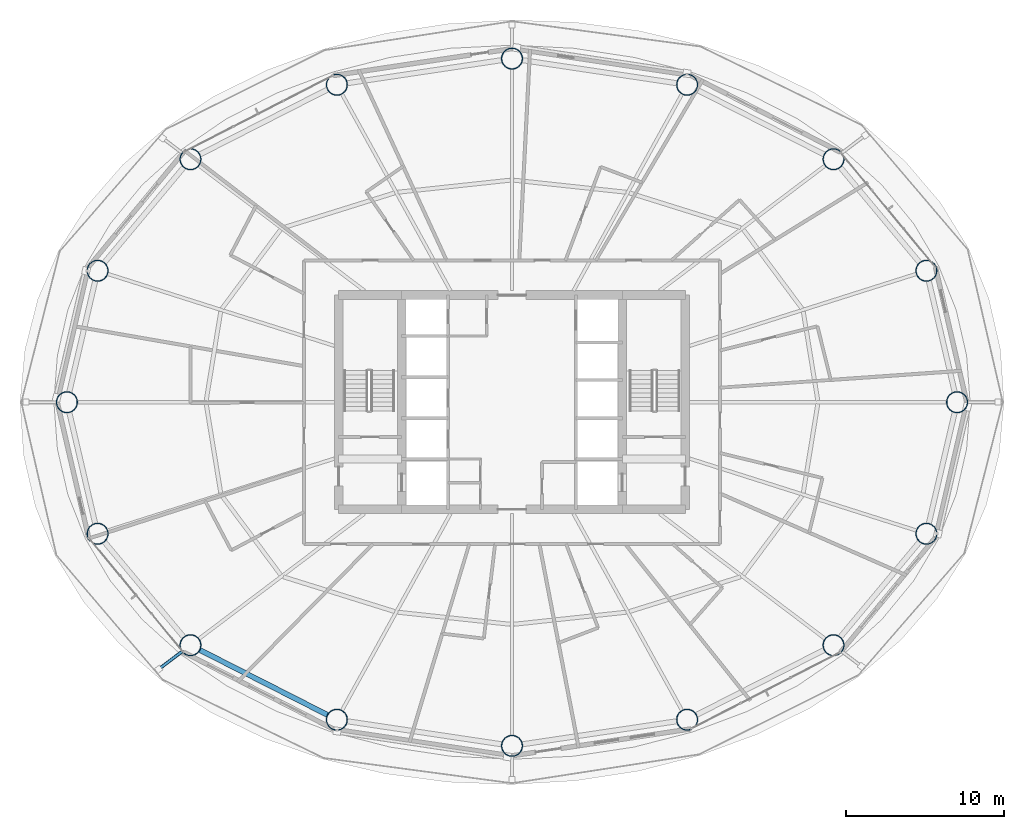
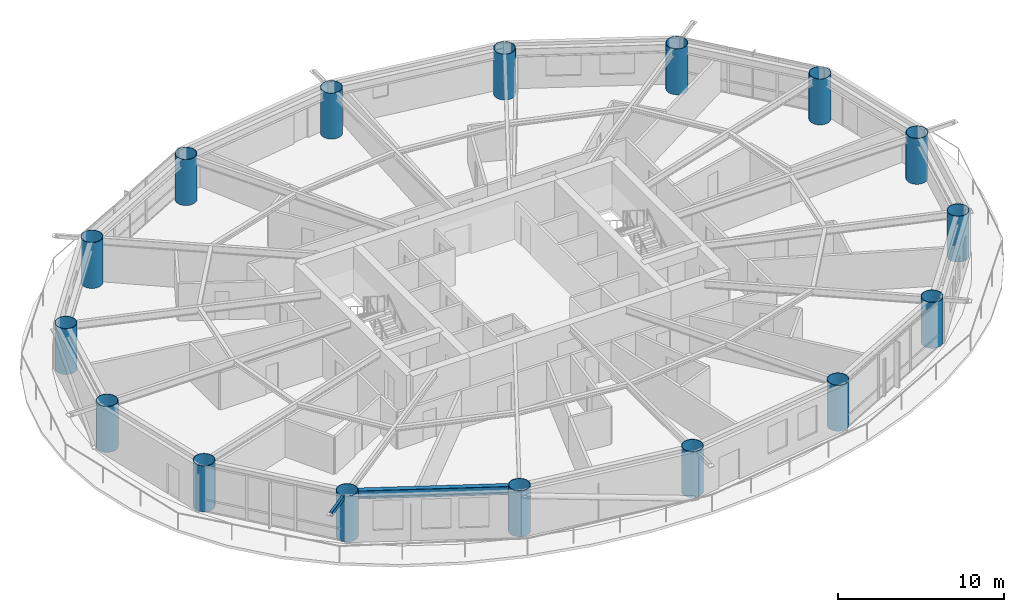
# One storey, part 1 of 24: 16 columns, 1 beam, 1 member.
"""IFC4 building model written with IfcOpenShell, lengths in metres."""

import ifcopenshell
import ifcopenshell.guid

model = None  # the IFC model being written
_history = None  # IfcOwnerHistory: only IFC2X3 demands one
_inside = {}  # id of a spatial element -> (the spatial element, [elements in it])
_under = {}  # id of a project, library or spatial element -> (it, [spatial elements below it])
_declared = {}  # id of a project -> (the project, [libraries it declares])
_typed = {}  # id of a type object -> (the type object, [elements of that type])
_made_of = {}  # id of a material, layer set ... -> (it, [elements and type objects made of it])


def new_model(schema):
    """Start an empty IFC model of exactly this schema.

    Asked for "IFC4X3", IfcOpenShell would pick the latest addendum, in which some entities
    have other attributes; the version numbers below select the first issue.
    IFC2X3 requires an IfcOwnerHistory on every rooted entity: one is made here for all.
    """
    global model, _history
    if schema == "IFC4X3":
        model = ifcopenshell.file(schema_version=(4, 3, 0, 0))
    else:
        model = ifcopenshell.file(schema=schema)
    _inside.clear()
    _under.clear()
    _declared.clear()
    _typed.clear()
    _made_of.clear()
    _history = None
    if model.schema == "IFC2X3":
        org = make("IfcOrganization", Name="unknown")
        user = make(
            "IfcPersonAndOrganization",
            ThePerson=make("IfcPerson", FamilyName="unknown"),
            TheOrganization=org,
        )
        app = make(
            "IfcApplication",
            ApplicationDeveloper=org,
            Version="unknown",
            ApplicationFullName="unknown",
            ApplicationIdentifier="unknown",
        )
        _history = make(
            "IfcOwnerHistory",
            OwningUser=user,
            OwningApplication=app,
            ChangeAction="ADDED",
            CreationDate=0,
        )
    return model


def make(cls, **values):
    """One entity of the class cls with the attributes given. An attribute that is None is left unset."""
    return model.create_entity(
        cls, **{name: value for name, value in values.items() if value is not None}
    )


def rooted(cls, **values):
    """An entity with a GlobalId (a new one), such as an element, a storey or a relation."""
    return make(cls, GlobalId=ifcopenshell.guid.new(), OwnerHistory=_history, **values)


def si_unit(unit_type, name, prefix=None):
    """IfcSIUnit, for example si_unit("LENGTHUNIT", "METRE", prefix="MILLI")."""
    return make("IfcSIUnit", UnitType=unit_type, Prefix=prefix, Name=name)


def assignment(units):
    """IfcUnitAssignment: the units of a project."""
    return None if units is None else make("IfcUnitAssignment", Units=units)


def point(xyz):
    """IfcCartesianPoint."""
    return None if xyz is None else make("IfcCartesianPoint", Coordinates=xyz)


def direction(xyz):
    """IfcDirection."""
    return None if xyz is None else make("IfcDirection", DirectionRatios=xyz)


def frame(location, z_axis=None, x_axis=None):
    """IfcAxis2Placement3D, a coordinate frame: its origin and axes. An axis left out is left unset."""
    return make(
        "IfcAxis2Placement3D",
        Location=point(location),
        Axis=direction(z_axis),
        RefDirection=direction(x_axis),
    )


def frame_2d(location, x_axis=None):
    """IfcAxis2Placement2D, a coordinate frame in the plane: its origin and x axis."""
    return make(
        "IfcAxis2Placement2D", Location=point(location), RefDirection=direction(x_axis)
    )


def origin():
    """The frame at (0, 0, 0) with its axes left unset."""
    return frame((0.0, 0.0, 0.0))


def origin_2d():
    """The frame at (0, 0) in the plane with its x axis left unset."""
    return frame_2d((0.0, 0.0))


def place(relative_to, where):
    """IfcLocalPlacement: puts the frame where relative to a parent placement (None: the world)."""
    return make(
        "IfcLocalPlacement", PlacementRelTo=relative_to, RelativePlacement=where
    )


def context(
    kind, dimensions, precision=None, world=None, true_north=None, identifier=None
):
    """IfcGeometricRepresentationContext, for example the 3D "Model" context."""
    return make(
        "IfcGeometricRepresentationContext",
        ContextIdentifier=identifier,
        ContextType=kind,
        CoordinateSpaceDimension=dimensions,
        Precision=precision,
        WorldCoordinateSystem=world,
        TrueNorth=true_north,
    )


def subcontext(parent, identifier, kind, view, scale=None):
    """IfcGeometricRepresentationSubContext, for example "Body" below "Model"."""
    return make(
        "IfcGeometricRepresentationSubContext",
        ContextIdentifier=identifier,
        ContextType=kind,
        ParentContext=parent,
        TargetScale=scale,
        TargetView=view,
    )


def project(units=None, contexts=None):
    """IfcProject with its units and contexts."""
    return rooted(
        "IfcProject",
        Name="project",
        RepresentationContexts=contexts,
        UnitsInContext=assignment(units),
    )


def spatial(cls, under=None, at=None, **own):
    """A site, building, storey or space (cls), placed at a placement, below another one or the project."""
    s = rooted(cls, ObjectPlacement=at, **own)
    if under is not None:
        _under.setdefault(under.id(), (under, []))[1].append(s)
    return s


def profile(cls, at=None, kind="AREA", **sizes):
    """A parametric profile (cls). Its sizes go by their IFC names, for example OverallWidth=200.0."""
    return make(cls, ProfileType=kind, Position=at, **sizes)


def hollow_rectangle(**sizes):
    """IfcRectangleHollowProfileDef."""
    return profile("IfcRectangleHollowProfileDef", **sizes)


def hollow_circle(**sizes):
    """IfcCircleHollowProfileDef."""
    return profile("IfcCircleHollowProfileDef", **sizes)


def i_section(**sizes):
    """IfcIShapeProfileDef."""
    return profile("IfcIShapeProfileDef", **sizes)


def extrude(swept, where, along, depth):
    """IfcExtrudedAreaSolid: the profile swept, set in the frame where, extruded along a direction by depth."""
    return make(
        "IfcExtrudedAreaSolid",
        SweptArea=swept,
        Position=where,
        ExtrudedDirection=direction(along),
        Depth=depth,
    )


def shape(context_of_items, identifier, shape_type, items):
    """IfcShapeRepresentation: the items that make up one representation, for example the "Body"."""
    return make(
        "IfcShapeRepresentation",
        ContextOfItems=context_of_items,
        RepresentationIdentifier=identifier,
        RepresentationType=shape_type,
        Items=items,
    )


def material(Name=None, Category=None):
    """IfcMaterial."""
    return make("IfcMaterial", Name=Name, Category=Category)


def material_profile(
    of_material, cross_section, Name=None, Category=None, Priority=None
):
    """IfcMaterialProfile: a cross section and its material."""
    return make(
        "IfcMaterialProfile",
        Name=Name,
        Material=of_material,
        Profile=cross_section,
        Priority=Priority,
        Category=Category,
    )


def profile_set(profiles, Name=None, composite=None):
    """IfcMaterialProfileSet."""
    return make(
        "IfcMaterialProfileSet",
        Name=Name,
        MaterialProfiles=profiles,
        CompositeProfile=composite,
    )


def made_of(thing, what):
    """Note that an element or type object is made of a material, layer set ...; save() writes the relation."""
    if what is not None:
        _made_of.setdefault(what.id(), (what, []))[1].append(thing)
    return thing


def type_object(cls, material=None, **own):
    """A type object (cls), such as IfcWallType, which elements share."""
    return made_of(rooted(cls, **own), material)


def element(
    cls,
    number,
    at=None,
    inside=None,
    cuts=None,
    type_object=None,
    material=None,
    context=None,
    identifier="Body",
    shape_type=None,
    held_by="IfcProductDefinitionShape",
    body=None,
    shapes=None,
    **own,
):
    """One element of the class cls, such as IfcWall. Its Tag is "e" and its number.

    at: its placement. inside: the storey or other place that contains it. cuts: it is an
    opening in that element (IfcRelVoidsElement). A single representation is given by context,
    identifier, shape_type and body (its items); several are given by shapes. held_by: the class
    of the entity that holds the representations. save() writes the other relations.
    """
    e = rooted(cls, Tag="e%d" % number, ObjectPlacement=at, **own)
    if body is not None:
        shapes = [shape(context, identifier, shape_type, body)]
    if shapes is not None:
        e.Representation = make(held_by, Representations=shapes)
    if inside is not None:
        _inside.setdefault(inside.id(), (inside, []))[1].append(e)
    if cuts is not None:
        rooted(
            "IfcRelVoidsElement", RelatingBuildingElement=cuts, RelatedOpeningElement=e
        )
    if type_object is not None:
        _typed.setdefault(type_object.id(), (type_object, []))[1].append(e)
    return made_of(e, material)


def aggregate(whole, parts):
    """IfcRelAggregates: a whole, such as a stair, and the parts it consists of."""
    return rooted("IfcRelAggregates", RelatingObject=whole, RelatedObjects=parts)


def save(model, path):
    """Write the relations noted so far, then the file.

    IfcRelAggregates (storeys below a building ...), IfcRelContainedInSpatialStructure (elements
    in a storey), IfcRelDefinesByType, IfcRelAssociatesMaterial and IfcRelDeclares: one each for
    every whole, place, type object, material and project.
    """
    for whole, parts in _under.values():
        aggregate(whole, parts)
    for where, things in _inside.values():
        rooted(
            "IfcRelContainedInSpatialStructure",
            RelatedElements=things,
            RelatingStructure=where,
        )
    for kind, things in _typed.values():
        rooted("IfcRelDefinesByType", RelatedObjects=things, RelatingType=kind)
    for what, things in _made_of.values():
        rooted("IfcRelAssociatesMaterial", RelatedObjects=things, RelatingMaterial=what)
    for by, libraries in _declared.values():
        rooted("IfcRelDeclares", RelatingContext=by, RelatedDefinitions=libraries)
    model.write(path)


model = new_model("IFC4")

# Units and contexts
model_context = context("Model", 3, precision=1e-05, world=origin(), true_north=direction((0.0, 1.0)))
body_context = subcontext(model_context, "Body", "Model", "MODEL_VIEW")
ifc_project = project(units=[si_unit("LENGTHUNIT", "METRE"), si_unit("AREAUNIT", "SQUARE_METRE"), si_unit("VOLUMEUNIT", "CUBIC_METRE"), si_unit("PLANEANGLEUNIT", "RADIAN"), si_unit("MASSUNIT", "GRAM", prefix="KILO")], contexts=[model_context])

# Site, building, storey
site_placement = place(None, origin())
site = spatial("IfcSite", under=ifc_project, at=site_placement, CompositionType="ELEMENT")
building_placement = place(site_placement, origin())
building = spatial("IfcBuilding", under=site, at=building_placement, Name="Sarneth Arch Tower", CompositionType="ELEMENT")
storey_placement = place(building_placement, frame((0.0, 0.0, 87.60009765625)))
storey = spatial("IfcBuildingStorey", under=building, at=storey_placement, Name="L21", CompositionType="ELEMENT", Elevation=87.60009765625)

# Columns
ifc_material_1 = material(Name="Steel S355", Category="steel")
ifc_material_profile_1 = material_profile(ifc_material_1, hollow_circle(Radius=0.675048828125, WallThickness=0.035888671875, at=origin_2d()), Name="CHS1350x36")
ifc_profile_set_1 = profile_set([ifc_material_profile_1], Name="Steel S355")
column_type = type_object("IfcColumnType", Name="COL-MEGA-1350", PredefinedType="COLUMN", material=ifc_profile_set_1)
for number, where, z_axis, x_axis, name in (
    (1, (76.236572265625, 42.0, 0.0), (0.0, 0.0, 1.0), (1.0, 0.0, 0.0), "L21 Perimeter mega-column M01"),
    (2, (74.291259765625, 50.342529296875, 0.0), (0.0, 0.0, 1.0), (1.0, 0.0, 0.0), "L21 Perimeter mega-column M02"),
    (3, (68.397705078125, 57.4150390625, 0.0), (0.0, 0.0, 1.0), (1.0, 0.0, 0.0), "L21 Perimeter mega-column M03"),
    (4, (59.1103515625, 62.140625, 0.0), (0.0, 0.0, 1.0), (1.0, 0.0, 0.0), "L21 Perimeter mega-column M04"),
    (5, (48.0, 63.800048828125, 0.0), (0.0, 0.0, 1.0), (1.0, 0.0, 0.0), "L21 Perimeter mega-column M05"),
    (6, (36.8896484375, 62.140625, 0.0), (0.0, 0.0, 1.0), (1.0, 0.0, 0.0), "L21 Perimeter mega-column M06"),
    (7, (27.602294921875, 57.4150390625, 0.0), (0.0, 0.0, 1.0), (1.0, 0.0, 0.0), "L21 Perimeter mega-column M07"),
    (8, (21.708740234375, 50.342529296875, 0.0), (0.0, 0.0, 1.0), (1.0, 0.0, 0.0), "L21 Perimeter mega-column M08"),
    (9, (19.763427734375, 42.0, 0.0), (0.0, 0.0, 1.0), (1.0, 0.0, 0.0), "L21 Perimeter mega-column M09"),
    (10, (21.708740234375, 33.657470703125, 0.0), (0.0, 0.0, 1.0), (1.0, 0.0, 0.0), "L21 Perimeter mega-column M10"),
    (11, (27.602294921875, 26.5849609375, 0.0), (0.0, 0.0, 1.0), (1.0, 0.0, 0.0), "L21 Perimeter mega-column M11"),
    (12, (36.8896484375, 21.859375, 0.0), (0.0, 0.0, 1.0), (1.0, 0.0, 0.0), "L21 Perimeter mega-column M12"),
    (13, (48.0, 20.199951171875, 0.0), (0.0, 0.0, 1.0), (1.0, 0.0, 0.0), "L21 Perimeter mega-column M13"),
    (14, (59.1103515625, 21.859375, 0.0), (0.0, 0.0, 1.0), (1.0, 0.0, 0.0), "L21 Perimeter mega-column M14"),
    (15, (68.397705078125, 26.5849609375, 0.0), (0.0, 0.0, 1.0), (1.0, 0.0, 0.0), "L21 Perimeter mega-column M15"),
    (16, (74.291259765625, 33.657470703125, 0.0), (0.0, 0.0, 1.0), (1.0, 0.0, 0.0), "L21 Perimeter mega-column M16"),
):
    element("IfcColumn", number, at=place(storey_placement, frame(where, z_axis=z_axis, x_axis=x_axis)), inside=storey, type_object=column_type, Name=name, PredefinedType="COLUMN", context=body_context, shape_type="SweptSolid", body=[
        extrude(hollow_circle(Radius=0.675048828125, WallThickness=0.035888671875, at=origin_2d()), origin(), (0.0, 0.0, 1.0), 3.3798828125),
    ])

# Beam
ifc_material_2 = material(Name="Steel S355", Category="steel")
ifc_material_profile_2 = material_profile(ifc_material_2, i_section(OverallWidth=0.323974609375, OverallDepth=0.611083984375, WebThickness=0.0126953125, FlangeThickness=0.01904296875, FilletRadius=0.01904296875, at=origin_2d()), Name="W610x155")
ifc_profile_set_2 = profile_set([ifc_material_profile_2], Name="Steel S355")
beam_type = type_object("IfcBeamType", Name="BM-SPAN-610B", PredefinedType="SPANDREL", material=ifc_profile_set_2)
beam_placement = place(storey_placement, frame((28.203857421875, 26.279052734375, 3.074462890625), z_axis=(0.891255891792, -0.453500755619, 0.0), x_axis=(0.453500755619, 0.891255891792, 0.0)))
element("IfcBeam", 17, at=beam_placement, inside=storey, type_object=beam_type, Name="L21 Perimeter spandrel beam 11", PredefinedType="SPANDREL", context=body_context, shape_type="SweptSolid", body=[
    extrude(i_section(OverallWidth=0.323974609375, OverallDepth=0.611083984375, WebThickness=0.0126953125, FlangeThickness=0.01904296875, FilletRadius=0.01904296875, at=origin_2d()), origin(), (0.0, 0.0, 1.0), 9.070556640625),
])

# Member
ifc_material_3 = material(Name="Steel S355", Category="steel")
ifc_material_profile_3 = material_profile(ifc_material_3, hollow_rectangle(XDim=0.199951171875, YDim=0.300048828125, WallThickness=0.012451171875, InnerFilletRadius=0.018798828125, OuterFilletRadius=0.03125, at=origin_2d()), Name="RHS300x200x12.5")
ifc_profile_set_3 = profile_set([ifc_material_profile_3], Name="Steel S355")
member_type = type_object("IfcMemberType", Name="MEM-CANT-STRUT", PredefinedType="STRUT", material=ifc_profile_set_3)
member_placement = place(storey_placement, frame((27.063720703125, 26.177978515625, 3.219970703125), z_axis=(-0.797829309399, -0.602883399227, 0.0), x_axis=(0.602883399227, -0.797829309399, 0.0)))
element("IfcMember", 18, at=member_placement, inside=storey, type_object=member_type, Name="L21 Balcony cantilever bracket 11", PredefinedType="STRUT", context=body_context, shape_type="SweptSolid", body=[
    extrude(hollow_rectangle(XDim=0.199951171875, YDim=0.300048828125, WallThickness=0.012451171875, InnerFilletRadius=0.018798828125, OuterFilletRadius=0.03125, at=origin_2d()), origin(), (0.0, 0.0, 1.0), 1.853515625),
])

save(model, "model.ifc")
